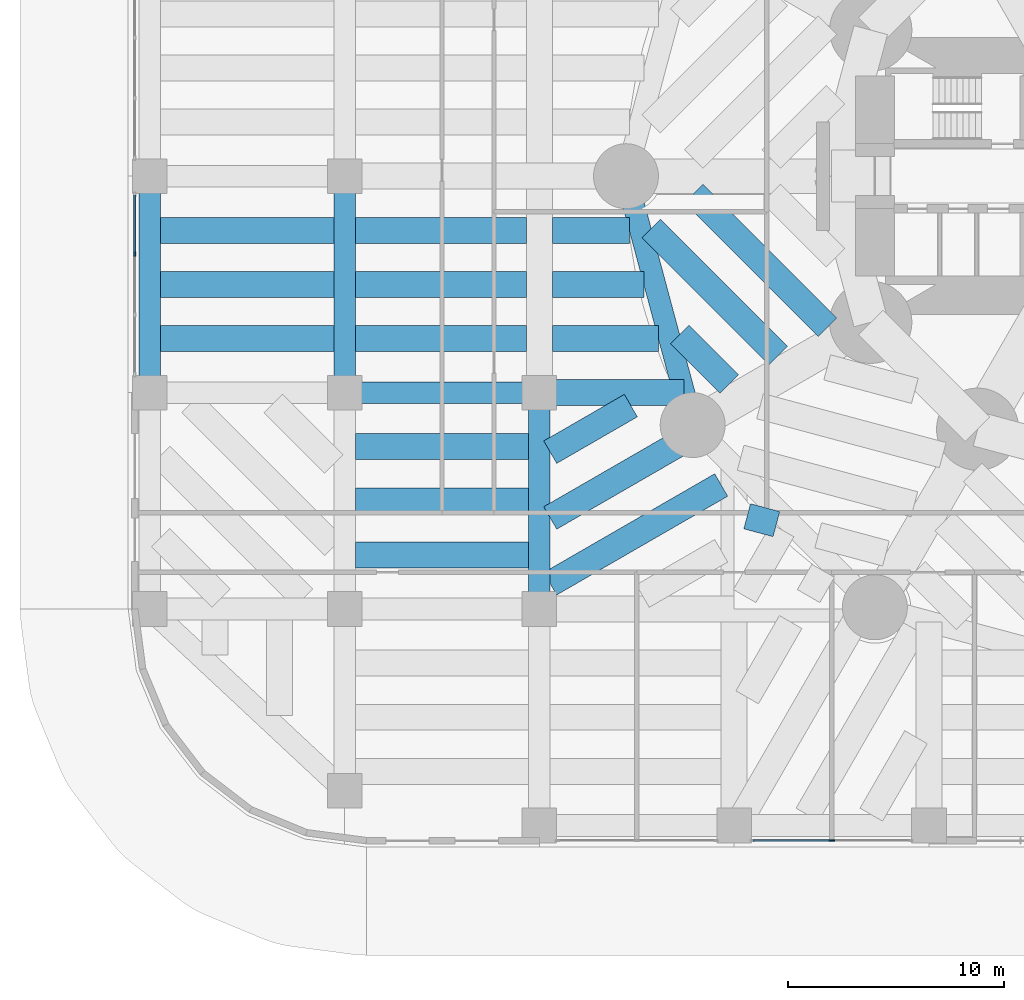
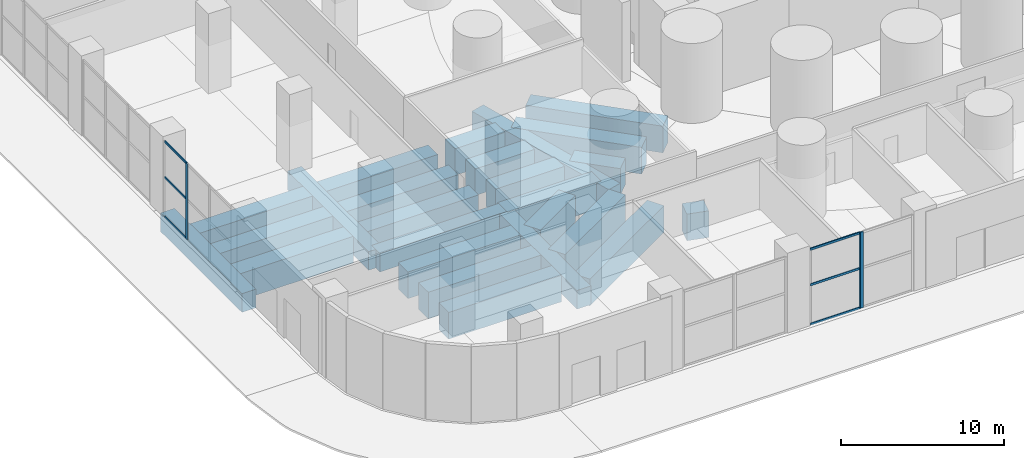
# One storey, part 3 of 20: 25 beams, 9 members, 3 elements without a shape of their own.
"""IFC4 building model written with IfcOpenShell, lengths in metres."""

from ifc_helpers import new_model, si_unit, direction, frame, origin, origin_2d, place, context, subcontext, project, spatial, rectangle, extrude, material, material_profile, profile_set, type_object, element, aggregate, save


model = new_model("IFC4")

# Units and contexts
model_context = context("Model", 3, precision=1e-05, world=origin(), true_north=direction((0.0, 1.0)))
body_context = subcontext(model_context, "Body", "Model", "MODEL_VIEW")
ifc_project = project(units=[si_unit("LENGTHUNIT", "METRE"), si_unit("AREAUNIT", "SQUARE_METRE"), si_unit("VOLUMEUNIT", "CUBIC_METRE"), si_unit("PLANEANGLEUNIT", "RADIAN"), si_unit("MASSUNIT", "GRAM", prefix="KILO")], contexts=[model_context])

# Site, building, storey
site_placement = place(None, origin())
site = spatial("IfcSite", under=ifc_project, at=site_placement, CompositionType="ELEMENT")
building_placement = place(site_placement, origin())
building = spatial("IfcBuilding", under=site, at=building_placement, Name="Qaws Media Tower", CompositionType="ELEMENT")
storey_placement = place(building_placement, origin())
storey = spatial("IfcBuildingStorey", under=building, at=storey_placement, Name="L00", CompositionType="ELEMENT", Elevation=0.0)

# Curtain wall, member
ifc_material_1 = material(Name="Aluminium and clear glass", Category="aluminium")
curtain_wall_type = type_object("IfcCurtainWallType", Name="Podium shopfront CW-P", PredefinedType="NOTDEFINED", material=ifc_material_1)
curtain_wall_1_placement = place(storey_placement, origin())
curtain_wall_1 = element("IfcCurtainWall", 1, at=curtain_wall_1_placement, inside=storey, type_object=curtain_wall_type, Name="CWP shopfront L00 W3", PredefinedType="NOTDEFINED")
ifc_material_2 = material(Name="Aluminium mullion", Category="aluminium")
ifc_material_profile_1 = material_profile(ifc_material_2, rectangle(XDim=0.080078125, YDim=0.199951171875, at=origin_2d()), Name="80x200")
ifc_profile_set_1 = profile_set([ifc_material_profile_1], Name="Aluminium mullion")
member_type_1 = type_object("IfcMemberType", Name="Curtain wall mullion 80x200", PredefinedType="MULLION", material=ifc_profile_set_1)
member_1_placement = place(storey_placement, frame((14.300048828125, 46.39990234375, 0.0), z_axis=(0.0, 0.0, 1.0), x_axis=(1.0, 0.0, 0.0)))
member_1 = element("IfcMember", 2, at=member_1_placement, type_object=member_type_1, Name="CWP mullion 2", PredefinedType="MULLION", context=body_context, shape_type="SweptSolid", body=[
    extrude(rectangle(XDim=0.080078125, YDim=0.199951171875, at=origin_2d()), origin(), (0.0, 0.0, 1.0), 5.699951171875),
])

curtain_wall_2_placement = place(storey_placement, origin())
curtain_wall_2 = element("IfcCurtainWall", 3, at=curtain_wall_2_placement, inside=storey, type_object=curtain_wall_type, Name="CWP shopfront L00 S4", PredefinedType="NOTDEFINED")
member_2_placement = place(storey_placement, frame((46.4599609375, 19.300048828125, 0.0), z_axis=(0.0, 0.0, 1.0), x_axis=(0.0, 1.0, 0.0)))
member_2 = element("IfcMember", 4, at=member_2_placement, type_object=member_type_1, Name="CWP mullion 2", PredefinedType="MULLION", context=body_context, shape_type="SweptSolid", body=[
    extrude(rectangle(XDim=0.080078125, YDim=0.199951171875, at=origin_2d()), origin(), (0.0, 0.0, 1.0), 5.699951171875),
])

curtain_wall_3_placement = place(storey_placement, origin())
curtain_wall_3 = element("IfcCurtainWall", 5, at=curtain_wall_3_placement, inside=storey, type_object=curtain_wall_type, Name="CWP shopfront L00 S5", PredefinedType="NOTDEFINED")
member_3_placement = place(storey_placement, frame((46.5400390625, 19.300048828125, 0.0), z_axis=(0.0, 0.0, 1.0), x_axis=(0.0, 1.0, 0.0)))
member_3 = element("IfcMember", 6, at=member_3_placement, type_object=member_type_1, Name="CWP mullion 1", PredefinedType="MULLION", context=body_context, shape_type="SweptSolid", body=[
    extrude(rectangle(XDim=0.080078125, YDim=0.199951171875, at=origin_2d()), origin(), (0.0, 0.0, 1.0), 5.699951171875),
])
aggregate(curtain_wall_3, [member_3])

# Member
ifc_material_3 = material(Name="Aluminium transom", Category="aluminium")
ifc_material_profile_2 = material_profile(ifc_material_3, rectangle(XDim=0.080078125, YDim=0.159912109375, at=origin_2d()), Name="80x160")
ifc_profile_set_2 = profile_set([ifc_material_profile_2], Name="Aluminium transom")
member_type_2 = type_object("IfcMemberType", Name="Curtain wall transom 80x160", PredefinedType="USERDEFINED", material=ifc_profile_set_2)
member_4_placement = place(storey_placement, frame((14.300048828125, 49.1201171875, 0.0400390625), z_axis=(0.0, -1.0, 0.0), x_axis=(1.0, 0.0, 0.0)))
member_4 = element("IfcMember", 7, at=member_4_placement, type_object=member_type_2, Name="CWP transom 1.1", ObjectType="TRANSOM", PredefinedType="USERDEFINED", context=body_context, shape_type="SweptSolid", body=[
    extrude(rectangle(XDim=0.080078125, YDim=0.159912109375, at=origin_2d()), origin(), (0.0, 0.0, 1.0), 2.68017578125),
])

member_5_placement = place(storey_placement, frame((14.300048828125, 49.1201171875, 3.0), z_axis=(0.0, -1.0, 0.0), x_axis=(1.0, 0.0, 0.0)))
member_5 = element("IfcMember", 8, at=member_5_placement, type_object=member_type_2, Name="CWP transom 1.2", ObjectType="TRANSOM", PredefinedType="USERDEFINED", context=body_context, shape_type="SweptSolid", body=[
    extrude(rectangle(XDim=0.080078125, YDim=0.159912109375, at=origin_2d()), origin(), (0.0, 0.0, 1.0), 2.68017578125),
])

member_6_placement = place(storey_placement, frame((14.300048828125, 49.1201171875, 5.659912109375), z_axis=(0.0, -1.0, 0.0), x_axis=(1.0, 0.0, 0.0)))
member_6 = element("IfcMember", 9, at=member_6_placement, type_object=member_type_2, Name="CWP transom 1.3", ObjectType="TRANSOM", PredefinedType="USERDEFINED", context=body_context, shape_type="SweptSolid", body=[
    extrude(rectangle(XDim=0.080078125, YDim=0.159912109375, at=origin_2d()), origin(), (0.0, 0.0, 1.0), 2.68017578125),
])

aggregate(curtain_wall_1, [member_1, member_4, member_5, member_6])

member_7_placement = place(storey_placement, frame((42.8798828125, 19.300048828125, 0.0400390625), z_axis=(1.0, 0.0, 0.0), x_axis=(0.0, 1.0, 0.0)))
member_7 = element("IfcMember", 10, at=member_7_placement, type_object=member_type_2, Name="CWP transom 1.1", ObjectType="TRANSOM", PredefinedType="USERDEFINED", context=body_context, shape_type="SweptSolid", body=[
    extrude(rectangle(XDim=0.080078125, YDim=0.159912109375, at=origin_2d()), origin(), (0.0, 0.0, 1.0), 3.5400390625),
])

member_8_placement = place(storey_placement, frame((42.8798828125, 19.300048828125, 3.0), z_axis=(1.0, 0.0, 0.0), x_axis=(0.0, 1.0, 0.0)))
member_8 = element("IfcMember", 11, at=member_8_placement, type_object=member_type_2, Name="CWP transom 1.2", ObjectType="TRANSOM", PredefinedType="USERDEFINED", context=body_context, shape_type="SweptSolid", body=[
    extrude(rectangle(XDim=0.080078125, YDim=0.159912109375, at=origin_2d()), origin(), (0.0, 0.0, 1.0), 3.5400390625),
])

member_9_placement = place(storey_placement, frame((42.8798828125, 19.300048828125, 5.659912109375), z_axis=(1.0, 0.0, 0.0), x_axis=(0.0, 1.0, 0.0)))
member_9 = element("IfcMember", 12, at=member_9_placement, type_object=member_type_2, Name="CWP transom 1.3", ObjectType="TRANSOM", PredefinedType="USERDEFINED", context=body_context, shape_type="SweptSolid", body=[
    extrude(rectangle(XDim=0.080078125, YDim=0.159912109375, at=origin_2d()), origin(), (0.0, 0.0, 1.0), 3.5400390625),
])

aggregate(curtain_wall_2, [member_2, member_7, member_8, member_9])

# Beams
ifc_material_4 = material(Name="Concrete C60/75", Category="concrete")
ifc_material_profile_3 = material_profile(ifc_material_4, rectangle(XDim=1.0, YDim=1.39990234375, at=origin_2d()), Name="RC 1000x1400")
ifc_profile_set_3 = profile_set([ifc_material_profile_3], Name="Concrete C60/75")
beam_type_1 = type_object("IfcBeamType", Name="Podium edge beam RC 1000x1400", PredefinedType="BEAM", material=ifc_profile_set_3)
beam_1_placement = place(storey_placement, frame((37.0, 50.0, -1.0), z_axis=(0.258809885148, -0.965928280645, 0.0), x_axis=(0.965928280645, 0.258809885148, 0.0)))
element("IfcBeam", 13, at=beam_1_placement, inside=storey, type_object=beam_type_1, Name="PB3 beam M07-M08", PredefinedType="BEAM", context=body_context, shape_type="SweptSolid", body=[
    extrude(rectangle(XDim=1.0, YDim=1.39990234375, at=origin_2d()), origin(), (0.0, 0.0, 1.0), 11.90576171875),
])
ifc_material_5 = material(Name="Concrete C60/75", Category="concrete")
ifc_material_profile_4 = material_profile(ifc_material_5, rectangle(XDim=1.0, YDim=1.39990234375, at=origin_2d()), Name="RC 1000x1400")
ifc_profile_set_4 = profile_set([ifc_material_profile_4], Name="Concrete C60/75")
beam_type_2 = type_object("IfcBeamType", Name="Podium girder RC 1000x1400", PredefinedType="BEAM", material=ifc_profile_set_4)
beam_2_placement = place(storey_placement, frame((24.0, 40.0, -1.0), z_axis=(1.0, 0.0, 0.0), x_axis=(0.0, 1.0, 0.0)))
element("IfcBeam", 14, at=beam_2_placement, inside=storey, type_object=beam_type_2, Name="PB5 beam 2-3/C", PredefinedType="BEAM", context=body_context, shape_type="SweptSolid", body=[
    extrude(rectangle(XDim=1.0, YDim=1.39990234375, at=origin_2d()), origin(), (0.0, 0.0, 1.0), 9.0),
])
for number, where, z_axis, x_axis, name in (
    (15, (15.0, 40.0, -1.0), (0.0, 1.0, 0.0), (-1.0, 0.0, 0.0), "PB5 beam 1/C-D"),
    (16, (24.0, 40.0, -1.0), (0.0, 1.0, 0.0), (-1.0, 0.0, 0.0), "PB5 beam 2/C-D"),
    (17, (33.0, 30.0, -1.0), (0.0, 1.0, 0.0), (-1.0, 0.0, 0.0), "PB5 beam 3/B-C"),
):
    element("IfcBeam", number, at=place(storey_placement, frame(where, z_axis=z_axis, x_axis=x_axis)), inside=storey, type_object=beam_type_2, Name=name, PredefinedType="BEAM", context=body_context, shape_type="SweptSolid", body=[
        extrude(rectangle(XDim=1.0, YDim=1.39990234375, at=origin_2d()), origin(), (0.0, 0.0, 1.0), 10.0),
    ])
ifc_material_6 = material(Name="Concrete C60/75", Category="concrete")
ifc_material_profile_5 = material_profile(ifc_material_6, rectangle(XDim=1.199951171875, YDim=2.0, at=origin_2d()), Name="RC 1200x2000")
ifc_profile_set_5 = profile_set([ifc_material_profile_5], Name="Concrete C60/75")
beam_type_3 = type_object("IfcBeamType", Name="Podium secondary beam RC 1200x2000", PredefinedType="BEAM", material=ifc_profile_set_5)
for number, where, z_axis, x_axis, name in (
    (18, (15.5, 42.5, -1.300048828125), (1.0, 0.0, 0.0), (0.0, 1.0, 0.0), "PB7 beam bay 1C line 1"),
    (19, (15.5, 45.0, -1.300048828125), (1.0, 0.0, 0.0), (0.0, 1.0, 0.0), "PB7 beam bay 1C line 2"),
    (20, (15.5, 47.5, -1.300048828125), (1.0, 0.0, 0.0), (0.0, 1.0, 0.0), "PB7 beam bay 1C line 3"),
    (21, (24.5, 32.5, -1.300048828125), (1.0, 0.0, 0.0), (0.0, 1.0, 0.0), "PB7 beam bay 2B line 1"),
    (22, (24.5, 35.0, -1.300048828125), (1.0, 0.0, 0.0), (0.0, 1.0, 0.0), "PB7 beam bay 2B line 2"),
    (23, (24.5, 37.5, -1.300048828125), (1.0, 0.0, 0.0), (0.0, 1.0, 0.0), "PB7 beam bay 2B line 3"),
):
    element("IfcBeam", number, at=place(storey_placement, frame(where, z_axis=z_axis, x_axis=x_axis)), inside=storey, type_object=beam_type_3, Name=name, PredefinedType="BEAM", context=body_context, shape_type="SweptSolid", body=[
        extrude(rectangle(XDim=1.199951171875, YDim=2.0, at=origin_2d()), origin(), (0.0, 0.0, 1.0), 8.0),
    ])
for number, where, z_axis, x_axis, name in (
    (24, (24.5, 42.5, -1.300048828125), (1.0, 0.0, 0.0), (0.0, 1.0, 0.0), "PB7 beam bay 2C line 1"),
    (25, (24.5, 45.0, -1.300048828125), (1.0, 0.0, 0.0), (0.0, 1.0, 0.0), "PB7 beam bay 2C line 2"),
    (26, (24.5, 47.5, -1.300048828125), (1.0, 0.0, 0.0), (0.0, 1.0, 0.0), "PB7 beam bay 2C line 3"),
):
    element("IfcBeam", number, at=place(storey_placement, frame(where, z_axis=z_axis, x_axis=x_axis)), inside=storey, type_object=beam_type_3, Name=name, PredefinedType="BEAM", context=body_context, shape_type="SweptSolid", body=[
        extrude(rectangle(XDim=1.199951171875, YDim=2.0, at=origin_2d()), origin(), (0.0, 0.0, 1.0), 7.89990234375),
    ])
beam_3_placement = place(storey_placement, frame((33.5, 31.1708984375, -1.300048828125), z_axis=(0.866024244995, 0.500002007077, 0.0), x_axis=(-0.500002007077, 0.866024244995, 0.0)))
element("IfcBeam", 27, at=beam_3_placement, inside=storey, type_object=beam_type_3, Name="PB7 beam bay 3B line 2", PredefinedType="BEAM", context=body_context, shape_type="SweptSolid", body=[
    extrude(rectangle(XDim=1.199951171875, YDim=2.0, at=origin_2d()), origin(), (0.0, 0.0, 1.0), 9.1220703125),
])
beam_4_placement = place(storey_placement, frame((33.5, 34.210205078125, -1.300048828125), z_axis=(0.866033686948, 0.499985652865, 0.0), x_axis=(-0.499985652865, 0.866033686948, 0.0)))
element("IfcBeam", 28, at=beam_4_placement, inside=storey, type_object=beam_type_3, Name="PB7 beam bay 3B line 3", PredefinedType="BEAM", context=body_context, shape_type="SweptSolid", body=[
    extrude(rectangle(XDim=1.199951171875, YDim=2.0, at=origin_2d()), origin(), (0.0, 0.0, 1.0), 7.440673828125),
])
beam_5_placement = place(storey_placement, frame((33.5, 37.24951171875, -1.300048828125), z_axis=(0.866040963478, 0.499973048851, 0.0), x_axis=(-0.499973048851, 0.866040963478, 0.0)))
element("IfcBeam", 29, at=beam_5_placement, inside=storey, type_object=beam_type_3, Name="PB7 beam bay 3B line 4", PredefinedType="BEAM", context=body_context, shape_type="SweptSolid", body=[
    extrude(rectangle(XDim=1.199951171875, YDim=2.0, at=origin_2d()), origin(), (0.0, 0.0, 1.0), 4.301025390625),
])
beam_6_placement = place(storey_placement, frame((33.60009765625, 42.5, -1.300048828125), z_axis=(1.0, 0.0, 0.0), x_axis=(0.0, 1.0, 0.0)))
element("IfcBeam", 30, at=beam_6_placement, inside=storey, type_object=beam_type_3, Name="PB7 beam bay 3C line 1", PredefinedType="BEAM", context=body_context, shape_type="SweptSolid", body=[
    extrude(rectangle(XDim=1.199951171875, YDim=2.0, at=origin_2d()), origin(), (0.0, 0.0, 1.0), 4.891845703125),
])
beam_7_placement = place(storey_placement, frame((33.60009765625, 45.0, -1.300048828125), z_axis=(1.0, 0.0, 0.0), x_axis=(0.0, 1.0, 0.0)))
element("IfcBeam", 31, at=beam_7_placement, inside=storey, type_object=beam_type_3, Name="PB7 beam bay 3C line 2", PredefinedType="BEAM", context=body_context, shape_type="SweptSolid", body=[
    extrude(rectangle(XDim=1.199951171875, YDim=2.0, at=origin_2d()), origin(), (0.0, 0.0, 1.0), 4.221923828125),
])
beam_8_placement = place(storey_placement, frame((33.60009765625, 47.5, -1.300048828125), z_axis=(1.0, 0.0, 0.0), x_axis=(0.0, 1.0, 0.0)))
element("IfcBeam", 32, at=beam_8_placement, inside=storey, type_object=beam_type_3, Name="PB7 beam bay 3C line 3", PredefinedType="BEAM", context=body_context, shape_type="SweptSolid", body=[
    extrude(rectangle(XDim=1.199951171875, YDim=2.0, at=origin_2d()), origin(), (0.0, 0.0, 1.0), 3.55224609375),
])
beam_9_placement = place(storey_placement, frame((46.311767578125, 43.020751953125, -1.300048828125), z_axis=(-0.707106781187, 0.707106781187, 0.0), x_axis=(-0.707106781187, -0.707106781187, 0.0)))
element("IfcBeam", 33, at=beam_9_placement, inside=storey, type_object=beam_type_3, Name="PB7 beam bay T07 line 2", PredefinedType="BEAM", context=body_context, shape_type="SweptSolid", body=[
    extrude(rectangle(XDim=1.199951171875, YDim=2.0, at=origin_2d()), origin(), (0.0, 0.0, 1.0), 8.73876953125),
])
beam_10_placement = place(storey_placement, frame((44.039794921875, 41.708984375, -1.300048828125), z_axis=(-0.707106781187, 0.707106781187, 0.0), x_axis=(-0.707106781187, -0.707106781187, 0.0)))
element("IfcBeam", 34, at=beam_10_placement, inside=storey, type_object=beam_type_3, Name="PB7 beam bay T07 line 3", PredefinedType="BEAM", context=body_context, shape_type="SweptSolid", body=[
    extrude(rectangle(XDim=1.199951171875, YDim=2.0, at=origin_2d()), origin(), (0.0, 0.0, 1.0), 8.30810546875),
])
beam_11_placement = place(storey_placement, frame((41.767822265625, 40.3974609375, -1.300048828125), z_axis=(-0.707144458383, 0.707069101983, 0.0), x_axis=(-0.707069101983, -0.707144458383, 0.0)))
element("IfcBeam", 35, at=beam_11_placement, inside=storey, type_object=beam_type_3, Name="PB7 beam bay T07 line 4", PredefinedType="BEAM", context=body_context, shape_type="SweptSolid", body=[
    extrude(rectangle(XDim=1.199951171875, YDim=2.0, at=origin_2d()), origin(), (0.0, 0.0, 1.0), 3.23974609375),
])
beam_12_placement = place(storey_placement, frame((43.950439453125, 33.924072265625, -1.300048828125), z_axis=(-0.965927004363, 0.25881464843, 0.0), x_axis=(-0.25881464843, -0.965927004363, 0.0)))
element("IfcBeam", 36, at=beam_12_placement, inside=storey, type_object=beam_type_3, Name="PB7 beam bay T08 line 5", PredefinedType="BEAM", context=body_context, shape_type="SweptSolid", body=[
    extrude(rectangle(XDim=1.199951171875, YDim=2.0, at=origin_2d()), origin(), (0.0, 0.0, 1.0), 1.39794921875),
])
ifc_material_7 = material(Name="Concrete C60/75", Category="concrete")
ifc_material_profile_6 = material_profile(ifc_material_7, rectangle(XDim=1.199951171875, YDim=2.0, at=origin_2d()), Name="RC 1200x2000")
ifc_profile_set_6 = profile_set([ifc_material_profile_6], Name="Concrete C60/75")
beam_type_4 = type_object("IfcBeamType", Name="Podium trimmer beam RC 1200x2000", PredefinedType="BEAM", material=ifc_profile_set_6)
beam_13_placement = place(storey_placement, frame((33.0, 40.0, -1.300048828125), z_axis=(1.0, 0.0, 0.0), x_axis=(0.0, 1.0, 0.0)))
element("IfcBeam", 37, at=beam_13_placement, inside=storey, type_object=beam_type_4, Name="PB4 beam 3/C to the tower ring", PredefinedType="BEAM", context=body_context, shape_type="SweptSolid", body=[
    extrude(rectangle(XDim=1.199951171875, YDim=2.0, at=origin_2d()), origin(), (0.0, 0.0, 1.0), 6.679443359375),
])

save(model, "model.ifc")
